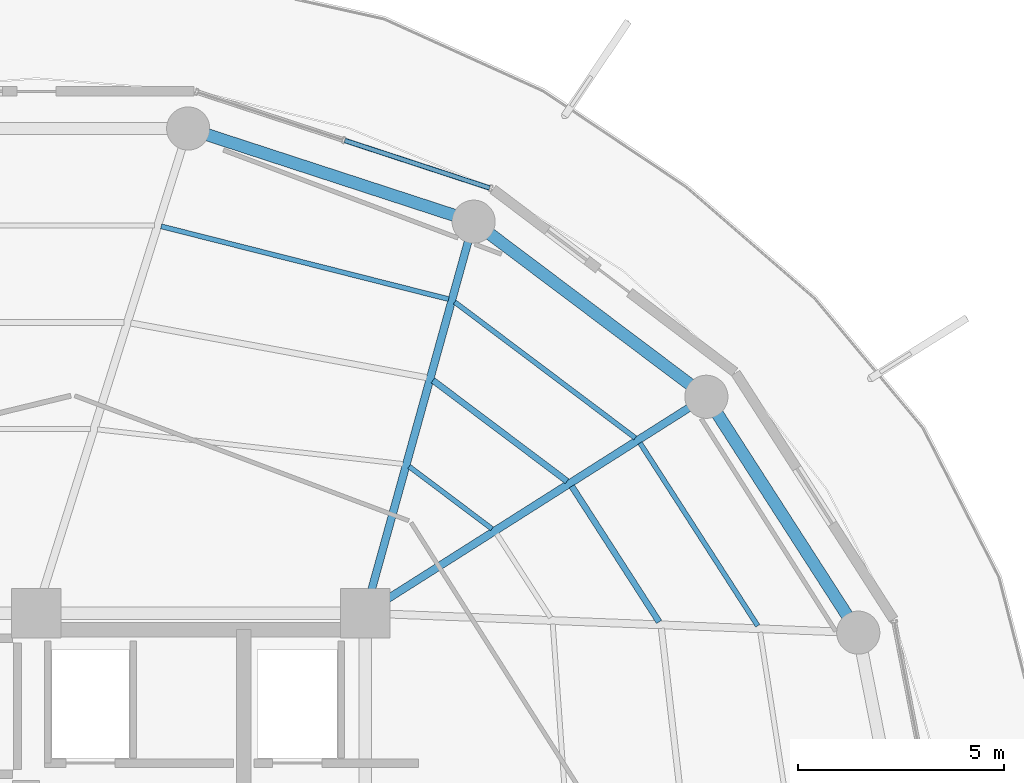
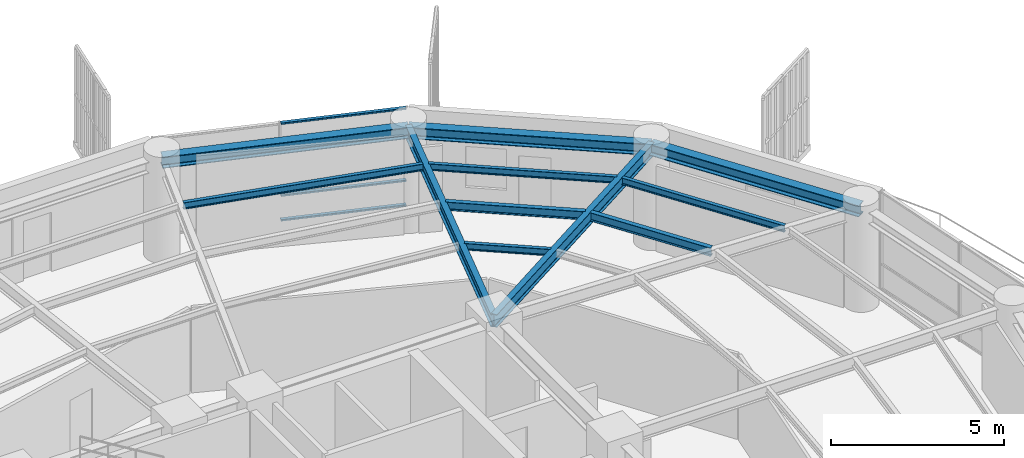
# One storey, part 20 of 30: 11 beams, 3 members, 1 element without a shape of its own.
"""IFC4 building model written with IfcOpenShell, lengths in metres."""

from ifc_helpers import new_model, si_unit, direction, frame, origin, origin_2d, place, context, subcontext, project, spatial, hollow_rectangle, i_section, extrude, material, layer, layer_set, material_profile, profile_set, type_object, element, aggregate, save


model = new_model("IFC4")

# Units and contexts
model_context = context("Model", 3, precision=1e-05, world=origin(), true_north=direction((0.0, 1.0)))
body_context = subcontext(model_context, "Body", "Model", "MODEL_VIEW")
ifc_project = project(units=[si_unit("LENGTHUNIT", "METRE"), si_unit("AREAUNIT", "SQUARE_METRE"), si_unit("VOLUMEUNIT", "CUBIC_METRE"), si_unit("PLANEANGLEUNIT", "RADIAN"), si_unit("MASSUNIT", "GRAM", prefix="KILO")], contexts=[model_context])

# Site, building, storey
site_placement = place(None, origin())
site = spatial("IfcSite", under=ifc_project, at=site_placement, CompositionType="ELEMENT")
building_placement = place(site_placement, origin())
building = spatial("IfcBuilding", under=site, at=building_placement, Name="Kelanora Arch Commons", CompositionType="ELEMENT")
storey_placement = place(building_placement, frame((0.0, 0.0, 211.949951171875)))
storey = spatial("IfcBuildingStorey", under=building, at=storey_placement, Name="L54", CompositionType="ELEMENT", Elevation=211.949951171875)

# Beams
ifc_material_1 = material(Name="Steel S355", Category="steel")
ifc_material_profile_1 = material_profile(ifc_material_1, i_section(OverallWidth=0.14990234375, OverallDepth=0.300048828125, WebThickness=0.007080078125, FlangeThickness=0.0107421875, FilletRadius=0.014892578125, at=origin_2d()), Name="IPE300")
ifc_profile_set_1 = profile_set([ifc_material_profile_1], Name="Steel S355")
beam_type_1 = type_object("IfcBeamType", Name="BM-JST-01", PredefinedType="JOIST", material=ifc_profile_set_1)
beam_1_placement = place(storey_placement, frame((89.152099609375, 64.786865234375, 3.340087890625), z_axis=(-0.541411265892, 0.840757896879, 0.0), x_axis=(-0.840757896879, -0.541411265892, 0.0)))
element("IfcBeam", 1, at=beam_1_placement, inside=storey, type_object=beam_type_1, Name="Secondary Chord Joist BJB-02 L54", PredefinedType="JOIST", context=body_context, shape_type="SweptSolid", body=[
    extrude(i_section(OverallWidth=0.14990234375, OverallDepth=0.300048828125, WebThickness=0.007080078125, FlangeThickness=0.0107421875, FilletRadius=0.014892578125, at=origin_2d()), origin(), (0.0, 0.0, 1.0), 3.92529296875),
])
beam_2_placement = place(storey_placement, frame((86.912841796875, 68.209716796875, 3.340087890625), z_axis=(-0.799101708656, 0.601195857624, 0.0), x_axis=(-0.601195857624, -0.799101708656, 0.0)))
element("IfcBeam", 2, at=beam_2_placement, inside=storey, type_object=beam_type_1, Name="Secondary Chord Joist BJB-04 L54", PredefinedType="JOIST", context=body_context, shape_type="SweptSolid", body=[
    extrude(i_section(OverallWidth=0.14990234375, OverallDepth=0.300048828125, WebThickness=0.007080078125, FlangeThickness=0.0107421875, FilletRadius=0.014892578125, at=origin_2d()), origin(), (0.0, 0.0, 1.0), 4.080810546875),
])
ifc_material_profile_2 = material_profile(ifc_material_1, i_section(OverallWidth=0.1201171875, OverallDepth=0.239990234375, WebThickness=0.006103515625, FlangeThickness=0.009765625, FilletRadius=0.014892578125, at=origin_2d()), Name="IPE240")
ifc_profile_set_2 = profile_set([ifc_material_profile_2], Name="Steel S355")
beam_type_2 = type_object("IfcBeamType", Name="BM-JST-02", PredefinedType="JOIST", material=ifc_profile_set_2)
beam_3_placement = place(storey_placement, frame((91.55126953125, 64.69189453125, 3.3701171875), z_axis=(-0.541382492679, 0.840776424872, 0.0), x_axis=(-0.840776424872, -0.541382492679, 0.0)))
element("IfcBeam", 3, at=beam_3_placement, inside=storey, type_object=beam_type_2, Name="Secondary Chord Joist BJC-02 L54", PredefinedType="JOIST", context=body_context, shape_type="SweptSolid", body=[
    extrude(i_section(OverallWidth=0.1201171875, OverallDepth=0.239990234375, WebThickness=0.006103515625, FlangeThickness=0.009765625, FilletRadius=0.014892578125, at=origin_2d()), origin(), (0.0, 0.0, 1.0), 5.29052734375),
])
beam_4_placement = place(storey_placement, frame((85.086669921875, 67.051513671875, 3.3701171875), z_axis=(-0.79911638933, 0.601176343766, 0.0), x_axis=(-0.601176343766, -0.79911638933, 0.0)))
element("IfcBeam", 4, at=beam_4_placement, inside=storey, type_object=beam_type_2, Name="Secondary Chord Joist BJA-04 L54", PredefinedType="JOIST", context=body_context, shape_type="SweptSolid", body=[
    extrude(i_section(OverallWidth=0.1201171875, OverallDepth=0.239990234375, WebThickness=0.006103515625, FlangeThickness=0.009765625, FilletRadius=0.014892578125, at=origin_2d()), origin(), (0.0, 0.0, 1.0), 2.522216796875),
])
beam_5_placement = place(storey_placement, frame((88.5732421875, 69.2626953125, 3.3701171875), z_axis=(-0.799109197935, 0.601185902842, 0.0), x_axis=(-0.601185902842, -0.799109197935, 0.0)))
element("IfcBeam", 5, at=beam_5_placement, inside=storey, type_object=beam_type_2, Name="Secondary Chord Joist BJC-04 L54", PredefinedType="JOIST", context=body_context, shape_type="SweptSolid", body=[
    extrude(i_section(OverallWidth=0.1201171875, OverallDepth=0.239990234375, WebThickness=0.006103515625, FlangeThickness=0.009765625, FilletRadius=0.014892578125, at=origin_2d()), origin(), (0.0, 0.0, 1.0), 5.497802734375),
])
beam_6_placement = place(storey_placement, frame((84.029541015625, 72.639892578125, 3.3701171875), z_axis=(-0.969370989998, 0.245601066263, 0.0), x_axis=(-0.245601066263, -0.969370989998, 0.0)))
element("IfcBeam", 6, at=beam_6_placement, inside=storey, type_object=beam_type_2, Name="Secondary Chord Joist BJC-06 L54", PredefinedType="JOIST", context=body_context, shape_type="SweptSolid", body=[
    extrude(i_section(OverallWidth=0.1201171875, OverallDepth=0.239990234375, WebThickness=0.006103515625, FlangeThickness=0.009765625, FilletRadius=0.014892578125, at=origin_2d()), origin(), (0.0, 0.0, 1.0), 7.2119140625),
])
ifc_material_profile_3 = material_profile(ifc_material_1, i_section(OverallWidth=0.18994140625, OverallDepth=0.449951171875, WebThickness=0.009521484375, FlangeThickness=0.0146484375, FilletRadius=0.02099609375, at=origin_2d()), Name="IPE450")
ifc_profile_set_3 = profile_set([ifc_material_profile_3], Name="Steel S355")
beam_type_3 = type_object("IfcBeamType", Name="BM-RAD-Z4", PredefinedType="BEAM", material=ifc_profile_set_3)
beam_7_placement = place(storey_placement, frame((82.0, 65.0, 3.26513671875), z_axis=(0.844507208607, 0.535544185489, 0.0), x_axis=(-0.535544185489, 0.844507208607, 0.0)))
element("IfcBeam", 7, at=beam_7_placement, inside=storey, type_object=beam_type_3, Name="Radial Floor Girder BR-04 L54", PredefinedType="BEAM", context=body_context, shape_type="SweptSolid", body=[
    extrude(i_section(OverallWidth=0.18994140625, OverallDepth=0.449951171875, WebThickness=0.009521484375, FlangeThickness=0.0146484375, FilletRadius=0.02099609375, at=origin_2d()), origin(), (0.0, 0.0, 1.0), 9.830078125),
])
beam_8_placement = place(storey_placement, frame((82.0, 65.0, 3.26513671875), z_axis=(0.267120164296, 0.963663228429, 0.0), x_axis=(-0.963663228429, 0.267120164296, 0.0)))
element("IfcBeam", 8, at=beam_8_placement, inside=storey, type_object=beam_type_3, Name="Radial Floor Girder BR-06 L54", PredefinedType="BEAM", context=body_context, shape_type="SweptSolid", body=[
    extrude(i_section(OverallWidth=0.18994140625, OverallDepth=0.449951171875, WebThickness=0.009521484375, FlangeThickness=0.0146484375, FilletRadius=0.02099609375, at=origin_2d()), origin(), (0.0, 0.0, 1.0), 9.8828125),
])
ifc_material_profile_4 = material_profile(ifc_material_1, i_section(OverallWidth=0.300048828125, OverallDepth=0.39990234375, WebThickness=0.013427734375, FlangeThickness=0.02392578125, FilletRadius=0.027099609375, at=origin_2d()), Name="HEB400")
ifc_profile_set_4 = profile_set([ifc_material_profile_4], Name="Steel S355")
beam_type_4 = type_object("IfcBeamType", Name="BM-SPN-Z4", PredefinedType="SPANDREL", material=ifc_profile_set_4)
beam_9_placement = place(storey_placement, frame((93.99658203125, 64.525634765625, 3.2900390625), z_axis=(-0.541364878868, 0.840787766281, 0.0), x_axis=(-0.840787766281, -0.541364878868, 0.0)))
element("IfcBeam", 9, at=beam_9_placement, inside=storey, type_object=beam_type_4, Name="Perimeter Spandrel Beam BS-02 L54", PredefinedType="SPANDREL", context=body_context, shape_type="SweptSolid", body=[
    extrude(i_section(OverallWidth=0.300048828125, OverallDepth=0.39990234375, WebThickness=0.013427734375, FlangeThickness=0.02392578125, FilletRadius=0.027099609375, at=origin_2d()), origin(), (0.0, 0.0, 1.0), 6.825439453125),
])
beam_10_placement = place(storey_placement, frame((90.301513671875, 70.264404296875, 3.2900390625), z_axis=(-0.799114211715, 0.60117923836, 0.0), x_axis=(-0.60117923836, -0.799114211715, 0.0)))
element("IfcBeam", 10, at=beam_10_placement, inside=storey, type_object=beam_type_4, Name="Perimeter Spandrel Beam BS-04 L54", PredefinedType="SPANDREL", context=body_context, shape_type="SweptSolid", body=[
    extrude(i_section(OverallWidth=0.300048828125, OverallDepth=0.39990234375, WebThickness=0.013427734375, FlangeThickness=0.02392578125, FilletRadius=0.027099609375, at=origin_2d()), origin(), (0.0, 0.0, 1.0), 7.0849609375),
])
beam_11_placement = place(storey_placement, frame((84.639892578125, 74.523681640625, 3.2900390625), z_axis=(-0.950656361143, 0.310245842872, 0.0), x_axis=(-0.310245842872, -0.950656361143, 0.0)))
element("IfcBeam", 11, at=beam_11_placement, inside=storey, type_object=beam_type_4, Name="Perimeter Spandrel Beam BS-06 L54", PredefinedType="SPANDREL", context=body_context, shape_type="SweptSolid", body=[
    extrude(i_section(OverallWidth=0.300048828125, OverallDepth=0.39990234375, WebThickness=0.013427734375, FlangeThickness=0.02392578125, FilletRadius=0.027099609375, at=origin_2d()), origin(), (0.0, 0.0, 1.0), 7.304931640625),
])

# Curtain wall, members
ifc_material_2 = material(Name="Terracotta ceramic-fritted low-E glass and aluminium", Category="masonry")
ifc_layer = layer(ifc_material_2, 0.175048828125)
ifc_layer_set = layer_set([ifc_layer], Name="Terracotta ceramic-fritted low-E glass and aluminium")
curtain_wall_type = type_object("IfcCurtainWallType", Name="CW-SYS-02", PredefinedType="NOTDEFINED", material=ifc_layer_set)
curtain_wall_placement = place(storey_placement, origin())
curtain_wall = element("IfcCurtainWall", 12, at=curtain_wall_placement, inside=storey, type_object=curtain_wall_type, Name="Unitised Curtain Wall L54-B03", PredefinedType="NOTDEFINED")
ifc_material_3 = material(Name="Powder-coated aluminium terracotta", Category="masonry")
ifc_material_profile_5 = material_profile(ifc_material_3, hollow_rectangle(XDim=0.1201171875, YDim=0.06005859375, WallThickness=0.0048828125, InnerFilletRadius=0.0048828125, OuterFilletRadius=0.010009765625, at=origin_2d()), Name="CWT120x60")
ifc_profile_set_5 = profile_set([ifc_material_profile_5], Name="Powder-coated aluminium terracotta")
member_type = type_object("IfcMemberType", Name="CWT-STD", PredefinedType="USERDEFINED", material=ifc_profile_set_5)
member_1_placement = place(storey_placement, frame((85.02880859375, 75.343994140625, 0.030029296875), z_axis=(-0.950226025222, 0.311561392011, 0.0), x_axis=(-0.311561392011, -0.950226025222, 0.0)))
member_1 = element("IfcMember", 13, at=member_1_placement, type_object=member_type, Name="CW-02 transom 1.1", ObjectType="TRANSOM", PredefinedType="USERDEFINED", context=body_context, shape_type="SweptSolid", body=[
    extrude(hollow_rectangle(XDim=0.1201171875, YDim=0.06005859375, WallThickness=0.0048828125, InnerFilletRadius=0.0048828125, OuterFilletRadius=0.010009765625, at=origin_2d()), origin(), (0.0, 0.0, 1.0), 3.707275390625),
])
member_2_placement = place(storey_placement, frame((85.02880859375, 75.343994140625, 0.900146484375), z_axis=(-0.950226025222, 0.311561392011, 0.0), x_axis=(-0.311561392011, -0.950226025222, 0.0)))
member_2 = element("IfcMember", 14, at=member_2_placement, type_object=member_type, Name="CW-02 transom 1.2", ObjectType="TRANSOM", PredefinedType="USERDEFINED", context=body_context, shape_type="SweptSolid", body=[
    extrude(hollow_rectangle(XDim=0.1201171875, YDim=0.06005859375, WallThickness=0.0048828125, InnerFilletRadius=0.0048828125, OuterFilletRadius=0.010009765625, at=origin_2d()), origin(), (0.0, 0.0, 1.0), 3.707275390625),
])
member_3_placement = place(storey_placement, frame((85.02880859375, 75.343994140625, 3.445068359375), z_axis=(-0.950226025222, 0.311561392011, 0.0), x_axis=(-0.311561392011, -0.950226025222, 0.0)))
member_3 = element("IfcMember", 15, at=member_3_placement, type_object=member_type, Name="CW-02 transom 1.3", ObjectType="TRANSOM", PredefinedType="USERDEFINED", context=body_context, shape_type="SweptSolid", body=[
    extrude(hollow_rectangle(XDim=0.1201171875, YDim=0.06005859375, WallThickness=0.0048828125, InnerFilletRadius=0.0048828125, OuterFilletRadius=0.010009765625, at=origin_2d()), origin(), (0.0, 0.0, 1.0), 3.707275390625),
])
aggregate(curtain_wall, [member_1, member_2, member_3])

save(model, "model.ifc")
